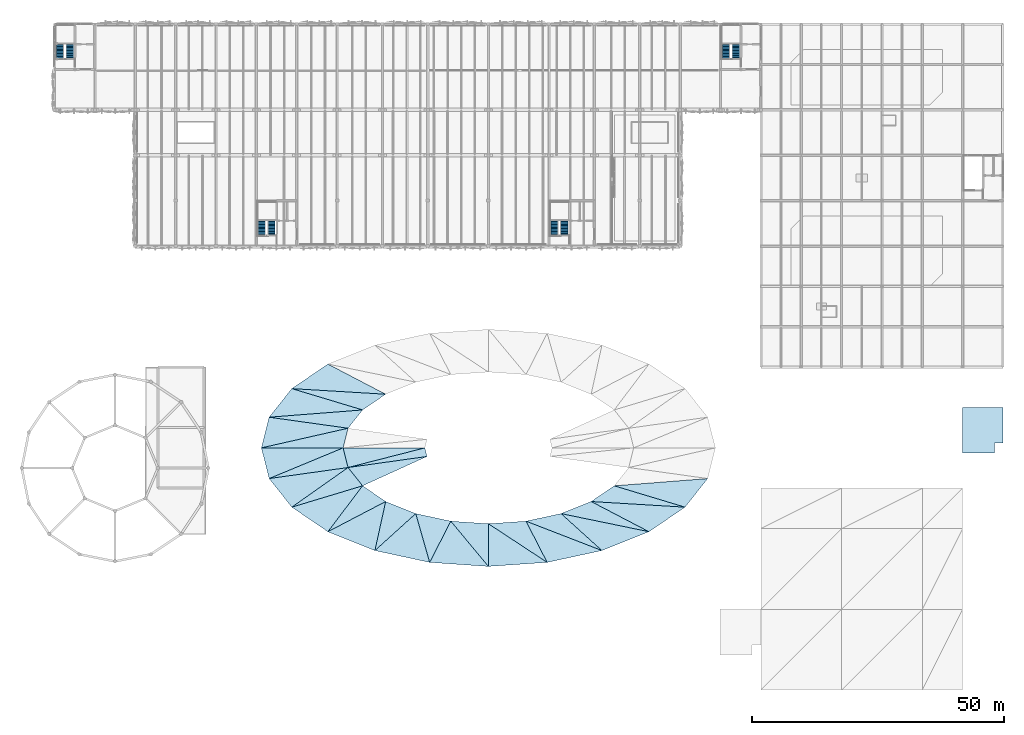
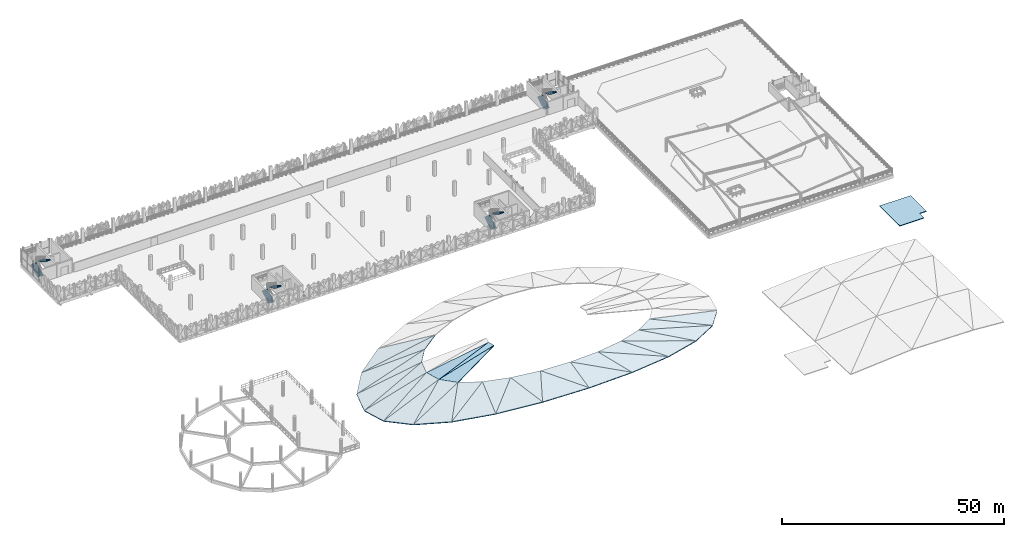
# One storey, part 32 of 52: 31 roofs, 8 stair flights, 4 elements without a shape of their own.
"""IFC4 building model written with IfcOpenShell, lengths in metres."""

from ifc_helpers import new_model, si_unit, derived_unit, direction, frame, origin, place, context, subcontext, project, spatial, polyline, outline, extrude, polygons, material, layer, layer_set, type_object, element, aggregate, save


model = new_model("IFC4")

# Units and contexts
model_context = context("Model", 3, precision=1e-05, world=origin(), true_north=direction((0.0, 1.0)))
body_context = subcontext(model_context, "Body", "Model", "MODEL_VIEW")
ifc_project = project(units=[si_unit("LENGTHUNIT", "METRE"), si_unit("AREAUNIT", "SQUARE_METRE"), si_unit("VOLUMEUNIT", "CUBIC_METRE"), si_unit("PLANEANGLEUNIT", "RADIAN"), si_unit("MASSUNIT", "GRAM", prefix="KILO"), si_unit("THERMODYNAMICTEMPERATUREUNIT", "KELVIN"), derived_unit("THERMALTRANSMITTANCEUNIT", [(si_unit("POWERUNIT", "WATT"), 1), (si_unit("AREAUNIT", "SQUARE_METRE"), -1), (si_unit("THERMODYNAMICTEMPERATUREUNIT", "KELVIN"), -1)])], contexts=[model_context])

# Site, building, storey
site_placement = place(None, origin())
site = spatial("IfcSite", under=ifc_project, at=site_placement, CompositionType="ELEMENT")
building_placement = place(site_placement, origin())
building = spatial("IfcBuilding", under=site, at=building_placement, Name="Haiyu Intermodal Mobility Hub", CompositionType="ELEMENT")
storey_placement = place(building_placement, frame((0.0, 0.0, 21.199951171875)))
storey = spatial("IfcBuildingStorey", under=building, at=storey_placement, Name="L05", CompositionType="ELEMENT", Elevation=21.199951171875)

# Stair, stair flights
ifc_material_1 = material(Name="Concrete C40", Category="concrete")
stair_type_1 = type_object("IfcStairType", Name="STR-ST02", PredefinedType="HALF_TURN_STAIR", material=ifc_material_1)
stair_1_placement = place(storey_placement, origin())
stair_1 = element("IfcStair", 1, at=stair_1_placement, inside=storey, type_object=stair_type_1, Name="Exit Stair ST01 L05", PredefinedType="HALF_TURN_STAIR")
stair_flight_type_1 = type_object("IfcStairFlightType", Name="SFL-ST02", PredefinedType="STRAIGHT", material=ifc_material_1)
stair_flight_1_placement = place(storey_placement, frame((63.090087890625, 106.050048828125, 0.0), z_axis=(0.0, 0.0, 1.0), x_axis=(0.0, 1.0, 0.0)))
stair_flight_1 = element("IfcStairFlight", 2, at=stair_flight_1_placement, type_object=stair_flight_type_1, Name="Stair Flight STR-C5-L05-F1", NumberOfRisers=12, NumberOfTreads=11, PredefinedType="STRAIGHT", RiserHeight=0.1625, TreadLength=0.28, context=body_context, shape_type="SweptSolid", body=[
    extrude(outline(polyline([(0.0, 0.0), (0.0, 0.16259765625), (0.280029296875, 0.16259765625), (0.280029296875, 0.324951171875), (0.56005859375, 0.324951171875), (0.56005859375, 0.487548828125), (0.840087890625, 0.487548828125), (0.840087890625, 0.64990234375), (1.1201171875, 0.64990234375), (1.1201171875, 0.8125), (1.39990234375, 0.8125), (1.39990234375, 0.97509765625), (1.679931640625, 0.97509765625), (1.679931640625, 1.137451171875), (1.9599609375, 1.137451171875), (1.9599609375, 1.300048828125), (2.239990234375, 1.300048828125), (2.239990234375, 1.46240234375), (2.52001953125, 1.46240234375), (2.52001953125, 1.625), (2.800048828125, 1.625), (2.800048828125, 1.78759765625), (3.080078125, 1.78759765625), (3.080078125, 1.949951171875), (3.080078125, 1.579345703125), (0.3583984375, 0.0), (0.0, 0.0)])), frame((0.0, 0.72998046875, 0.0), z_axis=(0.0, -1.0, 0.0), x_axis=(1.0, 0.0, 0.0)), (0.0, 0.0, 1.0), 1.4599609375),
])
stair_flight_2_placement = place(storey_placement, frame((65.0, 109.159912109375, 1.949951171875), z_axis=(0.0, 0.0, 1.0), x_axis=(0.0, -1.0, 0.0)))
stair_flight_2 = element("IfcStairFlight", 3, at=stair_flight_2_placement, type_object=stair_flight_type_1, Name="Stair Flight STR-C5-L05-F2", NumberOfRisers=12, NumberOfTreads=11, PredefinedType="STRAIGHT", RiserHeight=0.1625, TreadLength=0.28091, context=body_context, shape_type="SweptSolid", body=[
    extrude(outline(polyline([(0.0, 0.0), (0.0, 0.16259765625), (0.281005859375, 0.16259765625), (0.281005859375, 0.324951171875), (0.561767578125, 0.324951171875), (0.561767578125, 0.487548828125), (0.8427734375, 0.487548828125), (0.8427734375, 0.64990234375), (1.12353515625, 0.64990234375), (1.12353515625, 0.8125), (1.404541015625, 0.8125), (1.404541015625, 0.97509765625), (1.685546875, 0.97509765625), (1.685546875, 1.137451171875), (1.96630859375, 1.137451171875), (1.96630859375, 1.300048828125), (2.247314453125, 1.300048828125), (2.247314453125, 1.46240234375), (2.528076171875, 1.46240234375), (2.528076171875, 1.625), (2.80908203125, 1.625), (2.80908203125, 1.78759765625), (3.090087890625, 1.78759765625), (3.090087890625, 1.949951171875), (3.090087890625, 1.57958984375), (0.359375, 0.0), (0.0, 0.0)])), frame((0.0, 0.72998046875, 0.0), z_axis=(0.0, -1.0, 0.0), x_axis=(1.0, 0.0, 0.0)), (0.0, 0.0, 1.0), 1.4599609375),
])
aggregate(stair_1, [stair_flight_1, stair_flight_2])

stair_2_placement = place(storey_placement, origin())
stair_2 = element("IfcStair", 4, at=stair_2_placement, inside=storey, type_object=stair_type_1, Name="Exit Stair ST01 L05", PredefinedType="HALF_TURN_STAIR")
stair_flight_3_placement = place(storey_placement, frame((121.090087890625, 106.050048828125, 0.0), z_axis=(0.0, 0.0, 1.0), x_axis=(0.0, 1.0, 0.0)))
stair_flight_3 = element("IfcStairFlight", 5, at=stair_flight_3_placement, type_object=stair_flight_type_1, Name="Stair Flight STR-C6-L05-F1", NumberOfRisers=12, NumberOfTreads=11, PredefinedType="STRAIGHT", RiserHeight=0.1625, TreadLength=0.28, context=body_context, shape_type="SweptSolid", body=[
    extrude(outline(polyline([(0.0, 0.0), (0.0, 0.16259765625), (0.280029296875, 0.16259765625), (0.280029296875, 0.324951171875), (0.56005859375, 0.324951171875), (0.56005859375, 0.487548828125), (0.840087890625, 0.487548828125), (0.840087890625, 0.64990234375), (1.1201171875, 0.64990234375), (1.1201171875, 0.8125), (1.39990234375, 0.8125), (1.39990234375, 0.97509765625), (1.679931640625, 0.97509765625), (1.679931640625, 1.137451171875), (1.9599609375, 1.137451171875), (1.9599609375, 1.300048828125), (2.239990234375, 1.300048828125), (2.239990234375, 1.46240234375), (2.52001953125, 1.46240234375), (2.52001953125, 1.625), (2.800048828125, 1.625), (2.800048828125, 1.78759765625), (3.080078125, 1.78759765625), (3.080078125, 1.949951171875), (3.080078125, 1.579345703125), (0.3583984375, 0.0), (0.0, 0.0)])), frame((0.0, 0.72998046875, 0.0), z_axis=(0.0, -1.0, 0.0), x_axis=(1.0, 0.0, 0.0)), (0.0, 0.0, 1.0), 1.4599609375),
])
stair_flight_4_placement = place(storey_placement, frame((123.0, 109.159912109375, 1.949951171875), z_axis=(0.0, 0.0, 1.0), x_axis=(0.0, -1.0, 0.0)))
stair_flight_4 = element("IfcStairFlight", 6, at=stair_flight_4_placement, type_object=stair_flight_type_1, Name="Stair Flight STR-C6-L05-F2", NumberOfRisers=12, NumberOfTreads=11, PredefinedType="STRAIGHT", RiserHeight=0.1625, TreadLength=0.28091, context=body_context, shape_type="SweptSolid", body=[
    extrude(outline(polyline([(0.0, 0.0), (0.0, 0.16259765625), (0.281005859375, 0.16259765625), (0.281005859375, 0.324951171875), (0.561767578125, 0.324951171875), (0.561767578125, 0.487548828125), (0.8427734375, 0.487548828125), (0.8427734375, 0.64990234375), (1.12353515625, 0.64990234375), (1.12353515625, 0.8125), (1.404541015625, 0.8125), (1.404541015625, 0.97509765625), (1.685546875, 0.97509765625), (1.685546875, 1.137451171875), (1.96630859375, 1.137451171875), (1.96630859375, 1.300048828125), (2.247314453125, 1.300048828125), (2.247314453125, 1.46240234375), (2.528076171875, 1.46240234375), (2.528076171875, 1.625), (2.80908203125, 1.625), (2.80908203125, 1.78759765625), (3.090087890625, 1.78759765625), (3.090087890625, 1.949951171875), (3.090087890625, 1.57958984375), (0.359375, 0.0), (0.0, 0.0)])), frame((0.0, 0.72998046875, 0.0), z_axis=(0.0, -1.0, 0.0), x_axis=(1.0, 0.0, 0.0)), (0.0, 0.0, 1.0), 1.4599609375),
])
aggregate(stair_2, [stair_flight_3, stair_flight_4])

stair_type_2 = type_object("IfcStairType", Name="STR-ST03", PredefinedType="HALF_TURN_STAIR", material=ifc_material_1)
stair_3_placement = place(storey_placement, origin())
stair_3 = element("IfcStair", 7, at=stair_3_placement, inside=storey, type_object=stair_type_2, Name="Exit Stair ST02 L05", PredefinedType="HALF_TURN_STAIR")
stair_flight_type_2 = type_object("IfcStairFlightType", Name="SFL-ST03", PredefinedType="STRAIGHT", material=ifc_material_1)
stair_flight_5_placement = place(storey_placement, frame((23.090087890625, 141.050048828125, 0.0), z_axis=(0.0, 0.0, 1.0), x_axis=(0.0, 1.0, 0.0)))
stair_flight_5 = element("IfcStairFlight", 8, at=stair_flight_5_placement, type_object=stair_flight_type_2, Name="Stair Flight STR-C3-L05-F1", NumberOfRisers=12, NumberOfTreads=11, PredefinedType="STRAIGHT", RiserHeight=0.1625, TreadLength=0.28, context=body_context, shape_type="SweptSolid", body=[
    extrude(outline(polyline([(0.0, 0.0), (0.0, 0.16259765625), (0.280029296875, 0.16259765625), (0.280029296875, 0.324951171875), (0.56005859375, 0.324951171875), (0.56005859375, 0.487548828125), (0.840087890625, 0.487548828125), (0.840087890625, 0.64990234375), (1.1201171875, 0.64990234375), (1.1201171875, 0.8125), (1.39990234375, 0.8125), (1.39990234375, 0.97509765625), (1.679931640625, 0.97509765625), (1.679931640625, 1.137451171875), (1.9599609375, 1.137451171875), (1.9599609375, 1.300048828125), (2.239990234375, 1.300048828125), (2.239990234375, 1.46240234375), (2.52001953125, 1.46240234375), (2.52001953125, 1.625), (2.800048828125, 1.625), (2.800048828125, 1.78759765625), (3.080078125, 1.78759765625), (3.080078125, 1.949951171875), (3.080078125, 1.579345703125), (0.3583984375, 0.0), (0.0, 0.0)])), frame((0.0, 0.72998046875, 0.0), z_axis=(0.0, -1.0, 0.0), x_axis=(1.0, 0.0, 0.0)), (0.0, 0.0, 1.0), 1.4599609375),
])
stair_flight_6_placement = place(storey_placement, frame((25.0, 144.159912109375, 1.949951171875), z_axis=(0.0, 0.0, 1.0), x_axis=(0.0, -1.0, 0.0)))
stair_flight_6 = element("IfcStairFlight", 9, at=stair_flight_6_placement, type_object=stair_flight_type_2, Name="Stair Flight STR-C3-L05-F2", NumberOfRisers=12, NumberOfTreads=11, PredefinedType="STRAIGHT", RiserHeight=0.1625, TreadLength=0.28091, context=body_context, shape_type="SweptSolid", body=[
    extrude(outline(polyline([(0.0, 0.0), (0.0, 0.16259765625), (0.281005859375, 0.16259765625), (0.281005859375, 0.324951171875), (0.561767578125, 0.324951171875), (0.561767578125, 0.487548828125), (0.8427734375, 0.487548828125), (0.8427734375, 0.64990234375), (1.12353515625, 0.64990234375), (1.12353515625, 0.8125), (1.404541015625, 0.8125), (1.404541015625, 0.97509765625), (1.685546875, 0.97509765625), (1.685546875, 1.137451171875), (1.96630859375, 1.137451171875), (1.96630859375, 1.300048828125), (2.247314453125, 1.300048828125), (2.247314453125, 1.46240234375), (2.528076171875, 1.46240234375), (2.528076171875, 1.625), (2.80908203125, 1.625), (2.80908203125, 1.78759765625), (3.090087890625, 1.78759765625), (3.090087890625, 1.949951171875), (3.090087890625, 1.57958984375), (0.359375, 0.0), (0.0, 0.0)])), frame((0.0, 0.72998046875, 0.0), z_axis=(0.0, -1.0, 0.0), x_axis=(1.0, 0.0, 0.0)), (0.0, 0.0, 1.0), 1.4599609375),
])
aggregate(stair_3, [stair_flight_5, stair_flight_6])

stair_4_placement = place(storey_placement, origin())
stair_4 = element("IfcStair", 10, at=stair_4_placement, inside=storey, type_object=stair_type_2, Name="Exit Stair ST02 L05", PredefinedType="HALF_TURN_STAIR")
stair_flight_7_placement = place(storey_placement, frame((155.090087890625, 141.050048828125, 0.0), z_axis=(0.0, 0.0, 1.0), x_axis=(0.0, 1.0, 0.0)))
stair_flight_7 = element("IfcStairFlight", 11, at=stair_flight_7_placement, type_object=stair_flight_type_2, Name="Stair Flight STR-C4-L05-F1", NumberOfRisers=12, NumberOfTreads=11, PredefinedType="STRAIGHT", RiserHeight=0.1625, TreadLength=0.28, context=body_context, shape_type="SweptSolid", body=[
    extrude(outline(polyline([(0.0, 0.0), (0.0, 0.16259765625), (0.280029296875, 0.16259765625), (0.280029296875, 0.324951171875), (0.56005859375, 0.324951171875), (0.56005859375, 0.487548828125), (0.840087890625, 0.487548828125), (0.840087890625, 0.64990234375), (1.1201171875, 0.64990234375), (1.1201171875, 0.8125), (1.39990234375, 0.8125), (1.39990234375, 0.97509765625), (1.679931640625, 0.97509765625), (1.679931640625, 1.137451171875), (1.9599609375, 1.137451171875), (1.9599609375, 1.300048828125), (2.239990234375, 1.300048828125), (2.239990234375, 1.46240234375), (2.52001953125, 1.46240234375), (2.52001953125, 1.625), (2.800048828125, 1.625), (2.800048828125, 1.78759765625), (3.080078125, 1.78759765625), (3.080078125, 1.949951171875), (3.080078125, 1.579345703125), (0.3583984375, 0.0), (0.0, 0.0)])), frame((0.0, 0.72998046875, 0.0), z_axis=(0.0, -1.0, 0.0), x_axis=(1.0, 0.0, 0.0)), (0.0, 0.0, 1.0), 1.4599609375),
])
stair_flight_8_placement = place(storey_placement, frame((157.0, 144.159912109375, 1.949951171875), z_axis=(0.0, 0.0, 1.0), x_axis=(0.0, -1.0, 0.0)))
stair_flight_8 = element("IfcStairFlight", 12, at=stair_flight_8_placement, type_object=stair_flight_type_2, Name="Stair Flight STR-C4-L05-F2", NumberOfRisers=12, NumberOfTreads=11, PredefinedType="STRAIGHT", RiserHeight=0.1625, TreadLength=0.28091, context=body_context, shape_type="SweptSolid", body=[
    extrude(outline(polyline([(0.0, 0.0), (0.0, 0.16259765625), (0.281005859375, 0.16259765625), (0.281005859375, 0.324951171875), (0.561767578125, 0.324951171875), (0.561767578125, 0.487548828125), (0.8427734375, 0.487548828125), (0.8427734375, 0.64990234375), (1.12353515625, 0.64990234375), (1.12353515625, 0.8125), (1.404541015625, 0.8125), (1.404541015625, 0.97509765625), (1.685546875, 0.97509765625), (1.685546875, 1.137451171875), (1.96630859375, 1.137451171875), (1.96630859375, 1.300048828125), (2.247314453125, 1.300048828125), (2.247314453125, 1.46240234375), (2.528076171875, 1.46240234375), (2.528076171875, 1.625), (2.80908203125, 1.625), (2.80908203125, 1.78759765625), (3.090087890625, 1.78759765625), (3.090087890625, 1.949951171875), (3.090087890625, 1.57958984375), (0.359375, 0.0), (0.0, 0.0)])), frame((0.0, 0.72998046875, 0.0), z_axis=(0.0, -1.0, 0.0), x_axis=(1.0, 0.0, 0.0)), (0.0, 0.0, 1.0), 1.4599609375),
])
aggregate(stair_4, [stair_flight_7, stair_flight_8])

# Roofs
ifc_material_2 = material(Name="Steel Q355C", Category="steel")
ifc_layer_1 = layer(ifc_material_2, 0.219970703125)
ifc_layer_set_1 = layer_set([ifc_layer_1], Name="Steel Q355C")
roof_type_1 = type_object("IfcRoofType", Name="ROF-RF01", PredefinedType="FREEFORM", material=ifc_layer_set_1)
roof_1_placement = place(storey_placement, origin())
element("IfcRoof", 13, at=roof_1_placement, inside=storey, type_object=roof_type_1, Name="Saddle Cable-Net Roof Panel 049", PredefinedType="FREEFORM", context=body_context, shape_type="Tessellation", body=[
    polygons([(95.39990234375, 64.0, 3.111083984375), (79.199951171875, 64.0, 0.412109375), (80.180908203125, 60.10693359375, 0.54296875), (95.39990234375, 64.0, 3.31103515625), (79.199951171875, 64.0, 0.612060546875), (80.180908203125, 60.10693359375, 0.7431640625)], [[[3, 2, 1]], [[4, 5, 6]], [[1, 2, 5, 4]], [[2, 3, 6, 5]], [[3, 1, 4, 6]]], closed=True),
])
roof_2_placement = place(storey_placement, origin())
element("IfcRoof", 14, at=roof_2_placement, inside=storey, type_object=roof_type_1, Name="Saddle Cable-Net Roof Panel 050", PredefinedType="FREEFORM", context=body_context, shape_type="Tessellation", body=[
    polygons([(95.39990234375, 64.0, 3.111083984375), (80.180908203125, 60.10693359375, 0.54296875), (95.8291015625, 62.297119140625, 3.135986328125), (95.39990234375, 64.0, 3.31103515625), (80.180908203125, 60.10693359375, 0.7431640625), (95.8291015625, 62.297119140625, 3.3359375)], [[[3, 2, 1]], [[4, 5, 6]], [[1, 2, 5, 4]], [[2, 3, 6, 5]], [[3, 1, 4, 6]]], closed=True),
])
roof_3_placement = place(storey_placement, origin())
element("IfcRoof", 15, at=roof_3_placement, inside=storey, type_object=roof_type_1, Name="Saddle Cable-Net Roof Panel 051", PredefinedType="FREEFORM", context=body_context, shape_type="Tessellation", body=[
    polygons([(95.8291015625, 62.297119140625, 3.135986328125), (80.180908203125, 60.10693359375, 0.54296875), (83.05810546875, 56.47998046875, 0.903076171875), (95.8291015625, 62.297119140625, 3.3359375), (80.180908203125, 60.10693359375, 0.7431640625), (83.05810546875, 56.47998046875, 1.10302734375)], [[[3, 2, 1]], [[4, 5, 6]], [[1, 2, 5, 4]], [[2, 3, 6, 5]], [[3, 1, 4, 6]]], closed=True),
])
roof_4_placement = place(storey_placement, origin())
element("IfcRoof", 16, at=roof_4_placement, inside=storey, type_object=roof_type_1, Name="Saddle Cable-Net Roof Panel 091", PredefinedType="FREEFORM", context=body_context, shape_type="Tessellation", body=[
    polygons([(87.635009765625, 74.635009765625, 1.39501953125), (76.179931640625, 80.616943359375, -2.0), (69.029052734375, 75.75, -3.199951171875), (87.635009765625, 74.635009765625, 1.594970703125), (76.179931640625, 80.616943359375, -1.800048828125), (69.029052734375, 75.75, -3.0)], [[[3, 2, 1]], [[4, 5, 6]], [[1, 2, 5, 4]], [[2, 3, 6, 5]], [[3, 1, 4, 6]]], closed=True),
])
roof_5_placement = place(storey_placement, origin())
element("IfcRoof", 17, at=roof_5_placement, inside=storey, type_object=roof_type_1, Name="Saddle Cable-Net Roof Panel 092", PredefinedType="FREEFORM", context=body_context, shape_type="Tessellation", body=[
    polygons([(87.635009765625, 74.635009765625, 1.39501953125), (69.029052734375, 75.75, -3.199951171875), (83.05810546875, 71.52001953125, 0.903076171875), (87.635009765625, 74.635009765625, 1.594970703125), (69.029052734375, 75.75, -3.0), (83.05810546875, 71.52001953125, 1.10302734375)], [[[3, 2, 1]], [[4, 5, 6]], [[1, 2, 5, 4]], [[2, 3, 6, 5]], [[3, 1, 4, 6]]], closed=True),
])
roof_6_placement = place(storey_placement, origin())
element("IfcRoof", 18, at=roof_6_placement, inside=storey, type_object=roof_type_1, Name="Saddle Cable-Net Roof Panel 093", PredefinedType="FREEFORM", context=body_context, shape_type="Tessellation", body=[
    polygons([(83.05810546875, 71.52001953125, 0.903076171875), (69.029052734375, 75.75, -3.199951171875), (64.532958984375, 70.08203125, -4.078857421875), (83.05810546875, 71.52001953125, 1.10302734375), (69.029052734375, 75.75, -3.0), (64.532958984375, 70.08203125, -3.87890625)], [[[3, 2, 1]], [[4, 5, 6]], [[1, 2, 5, 4]], [[2, 3, 6, 5]], [[3, 1, 4, 6]]], closed=True),
])
roof_7_placement = place(storey_placement, origin())
element("IfcRoof", 19, at=roof_7_placement, inside=storey, type_object=roof_type_1, Name="Saddle Cable-Net Roof Panel 094", PredefinedType="FREEFORM", context=body_context, shape_type="Tessellation", body=[
    polygons([(83.05810546875, 71.52001953125, 0.903076171875), (64.532958984375, 70.08203125, -4.078857421875), (80.180908203125, 67.89306640625, 0.54296875), (83.05810546875, 71.52001953125, 1.10302734375), (64.532958984375, 70.08203125, -3.87890625), (80.180908203125, 67.89306640625, 0.7431640625)], [[[3, 2, 1]], [[4, 5, 6]], [[1, 2, 5, 4]], [[2, 3, 6, 5]], [[3, 1, 4, 6]]], closed=True),
])
roof_8_placement = place(storey_placement, origin())
element("IfcRoof", 20, at=roof_8_placement, inside=storey, type_object=roof_type_1, Name="Saddle Cable-Net Roof Panel 095", PredefinedType="FREEFORM", context=body_context, shape_type="Tessellation", body=[
    polygons([(80.180908203125, 67.89306640625, 0.54296875), (64.532958984375, 70.08203125, -4.078857421875), (63.0, 64.0, -4.39990234375), (80.180908203125, 67.89306640625, 0.7431640625), (64.532958984375, 70.08203125, -3.87890625), (63.0, 64.0, -4.199951171875)], [[[3, 2, 1]], [[4, 5, 6]], [[1, 2, 5, 4]], [[2, 3, 6, 5]], [[3, 1, 4, 6]]], closed=True),
])
roof_9_placement = place(storey_placement, origin())
element("IfcRoof", 21, at=roof_9_placement, inside=storey, type_object=roof_type_1, Name="Saddle Cable-Net Roof Panel 096", PredefinedType="FREEFORM", context=body_context, shape_type="Tessellation", body=[
    polygons([(80.180908203125, 67.89306640625, 0.54296875), (63.0, 64.0, -4.39990234375), (79.199951171875, 64.0, 0.412109375), (80.180908203125, 67.89306640625, 0.7431640625), (63.0, 64.0, -4.199951171875), (79.199951171875, 64.0, 0.612060546875)], [[[3, 2, 1]], [[4, 5, 6]], [[1, 2, 5, 4]], [[2, 3, 6, 5]], [[3, 1, 4, 6]]], closed=True),
])
roof_10_placement = place(storey_placement, origin())
element("IfcRoof", 22, at=roof_10_placement, inside=storey, type_object=roof_type_1, Name="Saddle Cable-Net Roof Panel 097", PredefinedType="FREEFORM", context=body_context, shape_type="Tessellation", body=[
    polygons([(79.199951171875, 64.0, 0.412109375), (63.0, 64.0, -4.39990234375), (64.532958984375, 57.91796875, -4.078857421875), (79.199951171875, 64.0, 0.612060546875), (63.0, 64.0, -4.199951171875), (64.532958984375, 57.91796875, -3.87890625)], [[[3, 2, 1]], [[4, 5, 6]], [[1, 2, 5, 4]], [[2, 3, 6, 5]], [[3, 1, 4, 6]]], closed=True),
])
roof_11_placement = place(storey_placement, origin())
element("IfcRoof", 23, at=roof_11_placement, inside=storey, type_object=roof_type_1, Name="Saddle Cable-Net Roof Panel 098", PredefinedType="FREEFORM", context=body_context, shape_type="Tessellation", body=[
    polygons([(79.199951171875, 64.0, 0.412109375), (64.532958984375, 57.91796875, -4.078857421875), (80.180908203125, 60.10693359375, 0.54296875), (79.199951171875, 64.0, 0.612060546875), (64.532958984375, 57.91796875, -3.87890625), (80.180908203125, 60.10693359375, 0.7431640625)], [[[3, 2, 1]], [[4, 5, 6]], [[1, 2, 5, 4]], [[2, 3, 6, 5]], [[3, 1, 4, 6]]], closed=True),
])
roof_12_placement = place(storey_placement, origin())
element("IfcRoof", 24, at=roof_12_placement, inside=storey, type_object=roof_type_1, Name="Saddle Cable-Net Roof Panel 099", PredefinedType="FREEFORM", context=body_context, shape_type="Tessellation", body=[
    polygons([(80.180908203125, 60.10693359375, 0.54296875), (64.532958984375, 57.91796875, -4.078857421875), (69.029052734375, 52.25, -3.199951171875), (80.180908203125, 60.10693359375, 0.7431640625), (64.532958984375, 57.91796875, -3.87890625), (69.029052734375, 52.25, -3.0)], [[[3, 2, 1]], [[4, 5, 6]], [[1, 2, 5, 4]], [[2, 3, 6, 5]], [[3, 1, 4, 6]]], closed=True),
])
roof_13_placement = place(storey_placement, origin())
element("IfcRoof", 25, at=roof_13_placement, inside=storey, type_object=roof_type_1, Name="Saddle Cable-Net Roof Panel 100", PredefinedType="FREEFORM", context=body_context, shape_type="Tessellation", body=[
    polygons([(80.180908203125, 60.10693359375, 0.54296875), (69.029052734375, 52.25, -3.199951171875), (83.05810546875, 56.47998046875, 0.903076171875), (80.180908203125, 60.10693359375, 0.7431640625), (69.029052734375, 52.25, -3.0), (83.05810546875, 56.47998046875, 1.10302734375)], [[[3, 2, 1]], [[4, 5, 6]], [[1, 2, 5, 4]], [[2, 3, 6, 5]], [[3, 1, 4, 6]]], closed=True),
])
roof_14_placement = place(storey_placement, origin())
element("IfcRoof", 26, at=roof_14_placement, inside=storey, type_object=roof_type_1, Name="Saddle Cable-Net Roof Panel 101", PredefinedType="FREEFORM", context=body_context, shape_type="Tessellation", body=[
    polygons([(83.05810546875, 56.47998046875, 0.903076171875), (69.029052734375, 52.25, -3.199951171875), (76.179931640625, 47.383056640625, -2.0), (83.05810546875, 56.47998046875, 1.10302734375), (69.029052734375, 52.25, -3.0), (76.179931640625, 47.383056640625, -1.800048828125)], [[[3, 2, 1]], [[4, 5, 6]], [[1, 2, 5, 4]], [[2, 3, 6, 5]], [[3, 1, 4, 6]]], closed=True),
])
roof_15_placement = place(storey_placement, origin())
element("IfcRoof", 27, at=roof_15_placement, inside=storey, type_object=roof_type_1, Name="Saddle Cable-Net Roof Panel 102", PredefinedType="FREEFORM", context=body_context, shape_type="Tessellation", body=[
    polygons([(83.05810546875, 56.47998046875, 0.903076171875), (76.179931640625, 47.383056640625, -2.0), (87.635009765625, 53.364990234375, 1.39501953125), (83.05810546875, 56.47998046875, 1.10302734375), (76.179931640625, 47.383056640625, -1.800048828125), (87.635009765625, 53.364990234375, 1.594970703125)], [[[3, 2, 1]], [[4, 5, 6]], [[1, 2, 5, 4]], [[2, 3, 6, 5]], [[3, 1, 4, 6]]], closed=True),
])
roof_16_placement = place(storey_placement, origin())
element("IfcRoof", 28, at=roof_16_placement, inside=storey, type_object=roof_type_1, Name="Saddle Cable-Net Roof Panel 103", PredefinedType="FREEFORM", context=body_context, shape_type="Tessellation", body=[
    polygons([(87.635009765625, 53.364990234375, 1.39501953125), (76.179931640625, 47.383056640625, -2.0), (85.5, 43.64794921875, -0.800048828125), (87.635009765625, 53.364990234375, 1.594970703125), (76.179931640625, 47.383056640625, -1.800048828125), (85.5, 43.64794921875, -0.599853515625)], [[[3, 2, 1]], [[4, 5, 6]], [[1, 2, 5, 4]], [[2, 3, 6, 5]], [[3, 1, 4, 6]]], closed=True),
])
roof_17_placement = place(storey_placement, origin())
element("IfcRoof", 29, at=roof_17_placement, inside=storey, type_object=roof_type_1, Name="Saddle Cable-Net Roof Panel 104", PredefinedType="FREEFORM", context=body_context, shape_type="Tessellation", body=[
    polygons([(87.635009765625, 53.364990234375, 1.39501953125), (85.5, 43.64794921875, -0.800048828125), (93.60009765625, 50.97509765625, 1.885986328125), (87.635009765625, 53.364990234375, 1.594970703125), (85.5, 43.64794921875, -0.599853515625), (93.60009765625, 50.97509765625, 2.0859375)], [[[3, 2, 1]], [[4, 5, 6]], [[1, 2, 5, 4]], [[2, 3, 6, 5]], [[3, 1, 4, 6]]], closed=True),
])
roof_18_placement = place(storey_placement, origin())
element("IfcRoof", 30, at=roof_18_placement, inside=storey, type_object=roof_type_1, Name="Saddle Cable-Net Roof Panel 105", PredefinedType="FREEFORM", context=body_context, shape_type="Tessellation", body=[
    polygons([(93.60009765625, 50.97509765625, 1.885986328125), (85.5, 43.64794921875, -0.800048828125), (96.35302734375, 41.301025390625, 0.0791015625), (93.60009765625, 50.97509765625, 2.0859375), (85.5, 43.64794921875, -0.599853515625), (96.35302734375, 41.301025390625, 0.279052734375)], [[[3, 2, 1]], [[4, 5, 6]], [[1, 2, 5, 4]], [[2, 3, 6, 5]], [[3, 1, 4, 6]]], closed=True),
])
roof_19_placement = place(storey_placement, origin())
element("IfcRoof", 31, at=roof_19_placement, inside=storey, type_object=roof_type_1, Name="Saddle Cable-Net Roof Panel 106", PredefinedType="FREEFORM", context=body_context, shape_type="Tessellation", body=[
    polygons([(93.60009765625, 50.97509765625, 1.885986328125), (96.35302734375, 41.301025390625, 0.0791015625), (100.5458984375, 49.471923828125, 2.24609375), (93.60009765625, 50.97509765625, 2.0859375), (96.35302734375, 41.301025390625, 0.279052734375), (100.5458984375, 49.471923828125, 2.446044921875)], [[[3, 2, 1]], [[4, 5, 6]], [[1, 2, 5, 4]], [[2, 3, 6, 5]], [[3, 1, 4, 6]]], closed=True),
])
roof_20_placement = place(storey_placement, origin())
element("IfcRoof", 32, at=roof_20_placement, inside=storey, type_object=roof_type_1, Name="Saddle Cable-Net Roof Panel 107", PredefinedType="FREEFORM", context=body_context, shape_type="Tessellation", body=[
    polygons([(100.5458984375, 49.471923828125, 2.24609375), (96.35302734375, 41.301025390625, 0.0791015625), (108.0, 40.5, 0.400146484375), (100.5458984375, 49.471923828125, 2.446044921875), (96.35302734375, 41.301025390625, 0.279052734375), (108.0, 40.5, 0.60009765625)], [[[3, 2, 1]], [[4, 5, 6]], [[1, 2, 5, 4]], [[2, 3, 6, 5]], [[3, 1, 4, 6]]], closed=True),
])
roof_21_placement = place(storey_placement, origin())
element("IfcRoof", 33, at=roof_21_placement, inside=storey, type_object=roof_type_1, Name="Saddle Cable-Net Roof Panel 108", PredefinedType="FREEFORM", context=body_context, shape_type="Tessellation", body=[
    polygons([(100.5458984375, 49.471923828125, 2.24609375), (108.0, 40.5, 0.400146484375), (108.0, 48.9599609375, 2.3779296875), (100.5458984375, 49.471923828125, 2.446044921875), (108.0, 40.5, 0.60009765625), (108.0, 48.9599609375, 2.578125)], [[[3, 2, 1]], [[4, 5, 6]], [[1, 2, 5, 4]], [[2, 3, 6, 5]], [[3, 1, 4, 6]]], closed=True),
])
roof_22_placement = place(storey_placement, origin())
element("IfcRoof", 34, at=roof_22_placement, inside=storey, type_object=roof_type_1, Name="Saddle Cable-Net Roof Panel 109", PredefinedType="FREEFORM", context=body_context, shape_type="Tessellation", body=[
    polygons([(108.0, 48.9599609375, 2.3779296875), (108.0, 40.5, 0.400146484375), (119.64697265625, 41.301025390625, 0.0791015625), (108.0, 48.9599609375, 2.578125), (108.0, 40.5, 0.60009765625), (119.64697265625, 41.301025390625, 0.279052734375)], [[[3, 2, 1]], [[4, 5, 6]], [[1, 2, 5, 4]], [[2, 3, 6, 5]], [[3, 1, 4, 6]]], closed=True),
])
roof_23_placement = place(storey_placement, origin())
element("IfcRoof", 35, at=roof_23_placement, inside=storey, type_object=roof_type_1, Name="Saddle Cable-Net Roof Panel 110", PredefinedType="FREEFORM", context=body_context, shape_type="Tessellation", body=[
    polygons([(108.0, 48.9599609375, 2.3779296875), (119.64697265625, 41.301025390625, 0.0791015625), (115.4541015625, 49.471923828125, 2.24609375), (108.0, 48.9599609375, 2.578125), (119.64697265625, 41.301025390625, 0.279052734375), (115.4541015625, 49.471923828125, 2.446044921875)], [[[3, 2, 1]], [[4, 5, 6]], [[1, 2, 5, 4]], [[2, 3, 6, 5]], [[3, 1, 4, 6]]], closed=True),
])
roof_24_placement = place(storey_placement, origin())
element("IfcRoof", 36, at=roof_24_placement, inside=storey, type_object=roof_type_1, Name="Saddle Cable-Net Roof Panel 111", PredefinedType="FREEFORM", context=body_context, shape_type="Tessellation", body=[
    polygons([(115.4541015625, 49.471923828125, 2.24609375), (119.64697265625, 41.301025390625, 0.0791015625), (130.5, 43.64794921875, -0.800048828125), (115.4541015625, 49.471923828125, 2.446044921875), (119.64697265625, 41.301025390625, 0.279052734375), (130.5, 43.64794921875, -0.599853515625)], [[[3, 2, 1]], [[4, 5, 6]], [[1, 2, 5, 4]], [[2, 3, 6, 5]], [[3, 1, 4, 6]]], closed=True),
])
roof_25_placement = place(storey_placement, origin())
element("IfcRoof", 37, at=roof_25_placement, inside=storey, type_object=roof_type_1, Name="Saddle Cable-Net Roof Panel 112", PredefinedType="FREEFORM", context=body_context, shape_type="Tessellation", body=[
    polygons([(115.4541015625, 49.471923828125, 2.24609375), (130.5, 43.64794921875, -0.800048828125), (122.39990234375, 50.97509765625, 1.885986328125), (115.4541015625, 49.471923828125, 2.446044921875), (130.5, 43.64794921875, -0.599853515625), (122.39990234375, 50.97509765625, 2.0859375)], [[[3, 2, 1]], [[4, 5, 6]], [[1, 2, 5, 4]], [[2, 3, 6, 5]], [[3, 1, 4, 6]]], closed=True),
])
roof_26_placement = place(storey_placement, origin())
element("IfcRoof", 38, at=roof_26_placement, inside=storey, type_object=roof_type_1, Name="Saddle Cable-Net Roof Panel 113", PredefinedType="FREEFORM", context=body_context, shape_type="Tessellation", body=[
    polygons([(122.39990234375, 50.97509765625, 1.885986328125), (130.5, 43.64794921875, -0.800048828125), (139.820068359375, 47.383056640625, -2.0), (122.39990234375, 50.97509765625, 2.0859375), (130.5, 43.64794921875, -0.599853515625), (139.820068359375, 47.383056640625, -1.800048828125)], [[[3, 2, 1]], [[4, 5, 6]], [[1, 2, 5, 4]], [[2, 3, 6, 5]], [[3, 1, 4, 6]]], closed=True),
])
roof_27_placement = place(storey_placement, origin())
element("IfcRoof", 39, at=roof_27_placement, inside=storey, type_object=roof_type_1, Name="Saddle Cable-Net Roof Panel 114", PredefinedType="FREEFORM", context=body_context, shape_type="Tessellation", body=[
    polygons([(122.39990234375, 50.97509765625, 1.885986328125), (139.820068359375, 47.383056640625, -2.0), (128.364990234375, 53.364990234375, 1.39501953125), (122.39990234375, 50.97509765625, 2.0859375), (139.820068359375, 47.383056640625, -1.800048828125), (128.364990234375, 53.364990234375, 1.594970703125)], [[[3, 2, 1]], [[4, 5, 6]], [[1, 2, 5, 4]], [[2, 3, 6, 5]], [[3, 1, 4, 6]]], closed=True),
])
roof_28_placement = place(storey_placement, origin())
element("IfcRoof", 40, at=roof_28_placement, inside=storey, type_object=roof_type_1, Name="Saddle Cable-Net Roof Panel 115", PredefinedType="FREEFORM", context=body_context, shape_type="Tessellation", body=[
    polygons([(128.364990234375, 53.364990234375, 1.39501953125), (139.820068359375, 47.383056640625, -2.0), (146.970947265625, 52.25, -3.199951171875), (128.364990234375, 53.364990234375, 1.594970703125), (139.820068359375, 47.383056640625, -1.800048828125), (146.970947265625, 52.25, -3.0)], [[[3, 2, 1]], [[4, 5, 6]], [[1, 2, 5, 4]], [[2, 3, 6, 5]], [[3, 1, 4, 6]]], closed=True),
])
roof_29_placement = place(storey_placement, origin())
element("IfcRoof", 41, at=roof_29_placement, inside=storey, type_object=roof_type_1, Name="Saddle Cable-Net Roof Panel 116", PredefinedType="FREEFORM", context=body_context, shape_type="Tessellation", body=[
    polygons([(128.364990234375, 53.364990234375, 1.39501953125), (146.970947265625, 52.25, -3.199951171875), (132.94189453125, 56.47998046875, 0.903076171875), (128.364990234375, 53.364990234375, 1.594970703125), (146.970947265625, 52.25, -3.0), (132.94189453125, 56.47998046875, 1.10302734375)], [[[3, 2, 1]], [[4, 5, 6]], [[1, 2, 5, 4]], [[2, 3, 6, 5]], [[3, 1, 4, 6]]], closed=True),
])
roof_30_placement = place(storey_placement, origin())
element("IfcRoof", 42, at=roof_30_placement, inside=storey, type_object=roof_type_1, Name="Saddle Cable-Net Roof Panel 117", PredefinedType="FREEFORM", context=body_context, shape_type="Tessellation", body=[
    polygons([(132.94189453125, 56.47998046875, 0.903076171875), (146.970947265625, 52.25, -3.199951171875), (151.467041015625, 57.91796875, -4.078857421875), (132.94189453125, 56.47998046875, 1.10302734375), (146.970947265625, 52.25, -3.0), (151.467041015625, 57.91796875, -3.87890625)], [[[3, 2, 1]], [[4, 5, 6]], [[1, 2, 5, 4]], [[2, 3, 6, 5]], [[3, 1, 4, 6]]], closed=True),
])
ifc_layer_2 = layer(ifc_material_2, 0.239990234375)
ifc_layer_set_2 = layer_set([ifc_layer_2], Name="Steel Q355C")
roof_type_2 = type_object("IfcRoofType", Name="ROF-RF02", PredefinedType="PAVILION_ROOF", material=ifc_layer_set_2)
roof_31_placement = place(storey_placement, frame((0.0, 0.0, -1.47998046875)))
element("IfcRoof", 43, at=roof_31_placement, inside=storey, type_object=roof_type_2, Name="Core C9 Skylight Headhouse Roof", PredefinedType="PAVILION_ROOF", context=body_context, shape_type="SweptSolid", body=[
    extrude(outline(polyline([(201.949951171875, 62.949951171875), (208.26806640625, 62.949951171875), (208.26806640625, 64.951904296875), (210.050048828125, 64.951904296875), (210.050048828125, 72.050048828125), (201.949951171875, 72.050048828125), (201.949951171875, 62.949951171875)])), origin(), (0.0, 0.0, 1.0), 0.199951171875),
])

save(model, "model.ifc")
